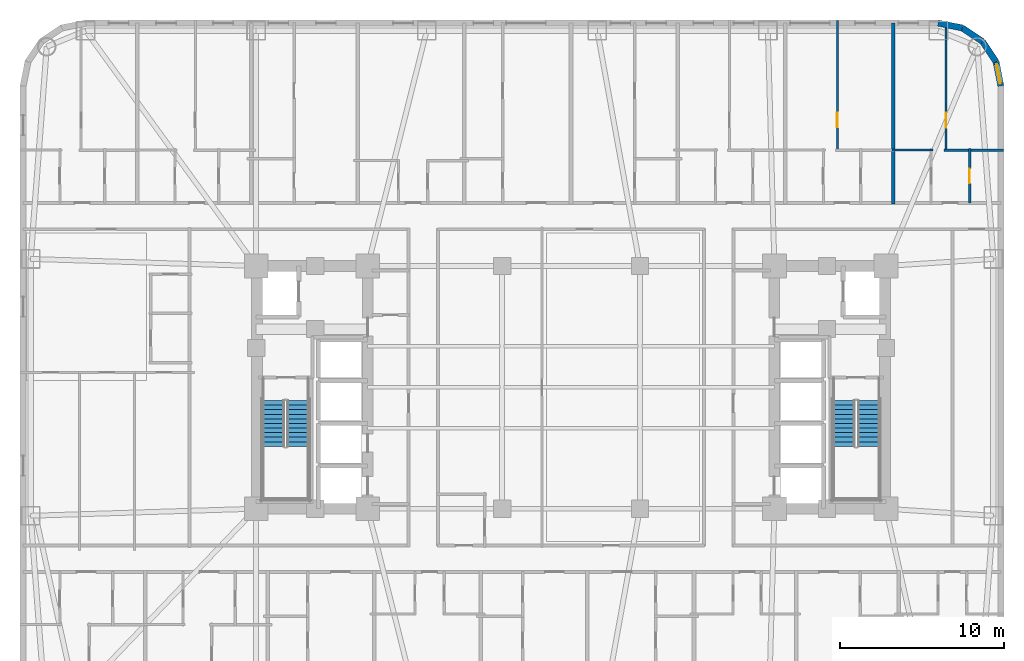
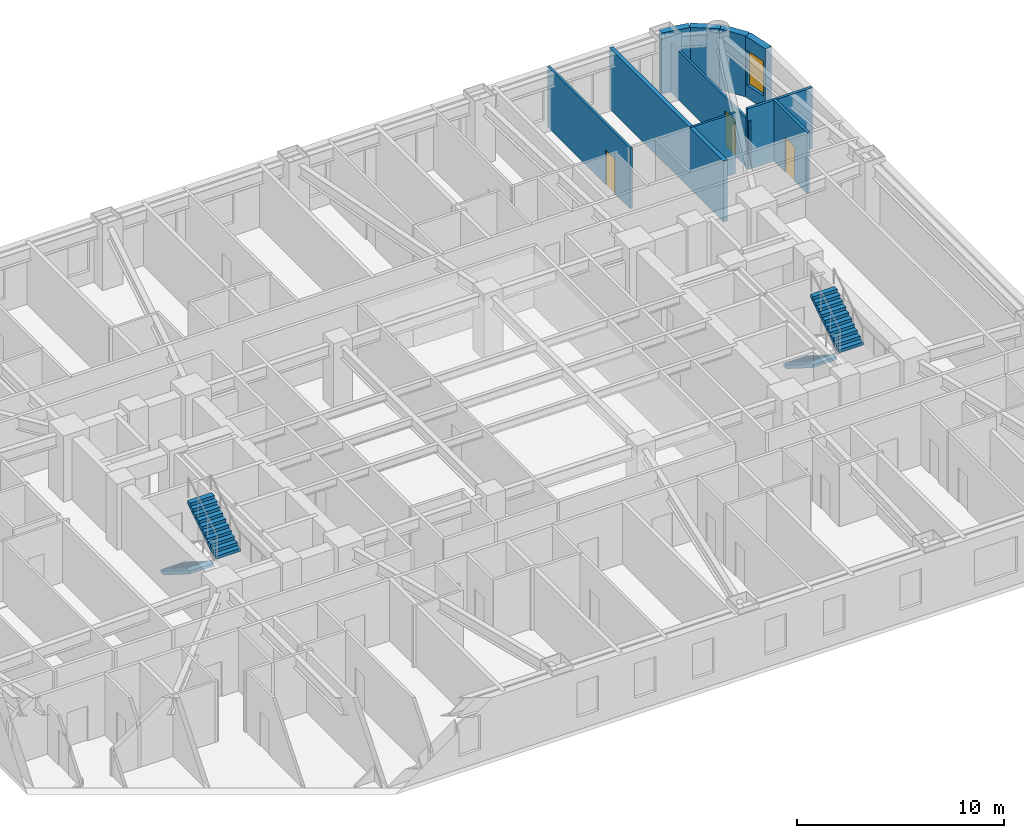
# One storey, part 9 of 11: 10 walls, 4 stair flights, 3 doors, 1 window, 4 openings, 2 elements without a shape of their own.
"""IFC4 building model written with IfcOpenShell, lengths in metres."""

from ifc_helpers import new_model, si_unit, direction, frame, frame_2d, origin, place, context, subcontext, project, spatial, polyline, rectangle, outline, extrude, material, layer, layer_set, type_object, element, fill, aggregate, save


model = new_model("IFC4")

# Units and contexts
model_context = context("Model", 3, precision=1e-05, world=origin(), true_north=direction((0.0, 1.0)))
body_context = subcontext(model_context, "Body", "Model", "MODEL_VIEW")
ifc_project = project(units=[si_unit("LENGTHUNIT", "METRE"), si_unit("AREAUNIT", "SQUARE_METRE"), si_unit("VOLUMEUNIT", "CUBIC_METRE"), si_unit("PLANEANGLEUNIT", "RADIAN"), si_unit("MASSUNIT", "GRAM", prefix="KILO")], contexts=[model_context])

# Site, building, storey
site_placement = place(None, origin())
site = spatial("IfcSite", under=ifc_project, at=site_placement, CompositionType="ELEMENT")
building_placement = place(site_placement, origin())
building = spatial("IfcBuilding", under=site, at=building_placement, Name="Voryun Gate Residences", CompositionType="ELEMENT")
storey_placement = place(building_placement, frame((0.0, 0.0, 76.699951171875)))
storey = spatial("IfcBuildingStorey", under=building, at=storey_placement, Name="L18", CompositionType="ELEMENT", Elevation=76.699951171875)

# Walls
ifc_material_1 = material(Name="Granite masonry", Category="masonry")
ifc_layer_1 = layer(ifc_material_1, 0.3798828125, Name="W_EXT_GRANITE_380")
ifc_layer_set_1 = layer_set([ifc_layer_1], Name="Granite masonry")
wall_type_1 = type_object("IfcWallType", Name="W_EXT_GRANITE_380", PredefinedType="ELEMENTEDWALL", material=ifc_layer_set_1)
wall_1_placement = place(storey_placement, frame((22.38134765625, 22.2099609375, 0.0), z_axis=(0.0, 0.0, 1.0), x_axis=(0.980786132421, -0.195086038585, 0.0)))
element("IfcWall", 1, at=wall_1_placement, inside=storey, type_object=wall_type_1, Name="Exterior wall WEXT-L18-12", PredefinedType="ELEMENTEDWALL", context=body_context, shape_type="SweptSolid", body=[
    extrude(rectangle(XDim=1.504150390625, YDim=0.3798828125, at=frame_2d((0.751953125, 0.0))), origin(), (0.0, 0.0, 1.0), 3.60009765625),
])
for number, where, z_axis, x_axis, name in (
    (2, (23.856689453125, 21.91650390625, 0.0), (0.0, 0.0, 1.0), (0.831392092774, -0.555686231674, 0.0), "Exterior wall WEXT-L18-13"),
    (3, (25.09130859375, 21.09130859375, 0.0), (0.0, 0.0, 1.0), (0.555686231674, -0.831392092774, 0.0), "Exterior wall WEXT-L18-14"),
):
    element("IfcWall", number, at=place(storey_placement, frame(where, z_axis=z_axis, x_axis=x_axis)), inside=storey, type_object=wall_type_1, Name=name, PredefinedType="ELEMENTEDWALL", context=body_context, shape_type="SweptSolid", body=[
        extrude(rectangle(XDim=1.485107421875, YDim=0.3798828125, at=frame_2d((0.74267578125, 0.0))), origin(), (0.0, 0.0, 1.0), 3.60009765625),
    ])

# Wall, opening, window
wall_2_placement = place(storey_placement, frame((25.91650390625, 19.856689453125, 0.0), z_axis=(0.0, 0.0, 1.0), x_axis=(0.195086038585, -0.980786132421, 0.0)))
wall_2 = element("IfcWall", 4, at=wall_2_placement, inside=storey, type_object=wall_type_1, Name="Exterior wall WEXT-L18-15", PredefinedType="ELEMENTEDWALL", context=body_context, shape_type="SweptSolid", body=[
    extrude(rectangle(XDim=1.504150390625, YDim=0.3798828125, at=frame_2d((0.751953125, 0.0))), origin(), (0.0, 0.0, 1.0), 3.60009765625),
])
opening_1_placement = place(wall_2_placement, frame((0.152099609375, 0.0, 0.75)))
opening_1 = element("IfcOpeningElement", 5, at=opening_1_placement, cuts=wall_2, Name="Opening WN6", PredefinedType="OPENING", context=body_context, shape_type="SweptSolid", body=[
    extrude(rectangle(XDim=1.199951171875, YDim=2.050048828125, at=frame_2d((0.60009765625, 1.02490234375))), frame((0.0, 0.199951171875, 0.0), z_axis=(0.0, -1.0, 0.0), x_axis=(1.0, 0.0, 0.0)), (0.0, 0.0, 1.0), 0.39990234375),
])
ifc_material_2 = material(Name="Laminated low-E glass", Category="glass")
window_type = type_object("IfcWindowType", Name="WN_POD_SLOT_1200", PartitioningType="SINGLE_PANEL", PredefinedType="WINDOW", material=ifc_material_2)
window_placement = place(opening_1_placement, origin())
window = element("IfcWindow", 6, at=window_placement, inside=storey, type_object=window_type, Name="Window WN-L18-DWFIX-15", OverallHeight=2.050048828125, OverallWidth=1.199951171875, PartitioningType="SINGLE_PANEL", PredefinedType="WINDOW", context=body_context, shape_type="SweptSolid", body=[
    extrude(rectangle(XDim=1.199951171875, YDim=2.050048828125, at=frame_2d((0.60009765625, 1.02490234375))), frame((0.0, 0.030029296875, 0.0), z_axis=(0.0, -1.0, 0.0), x_axis=(1.0, 0.0, 0.0)), (0.0, 0.0, 1.0), 0.06005859375),
])
fill(opening_1, window)

# Wall
ifc_material_3 = material(Name="Concrete C40/50", Category="concrete")
ifc_layer_2 = layer(ifc_material_3, 0.219970703125, Name="W_PARTY_ACOUSTIC_220")
ifc_layer_set_2 = layer_set([ifc_layer_2], Name="Concrete C40/50")
wall_type_2 = type_object("IfcWallType", Name="W_PARTY_ACOUSTIC_220", PredefinedType="PARTITIONING", material=ifc_layer_set_2)
wall_3_placement = place(storey_placement, frame((19.64501953125, 11.169921875, 0.0), z_axis=(0.0, 0.0, 1.0), x_axis=(0.0, 1.0, 0.0)))
element("IfcWall", 7, at=wall_3_placement, inside=storey, type_object=wall_type_2, Name="Partition wall WP-L18-NPTY-8", PredefinedType="PARTITIONING", context=body_context, shape_type="SweptSolid", body=[
    extrude(rectangle(XDim=11.0400390625, YDim=0.219970703125, at=frame_2d((5.52001953125, 0.0))), origin(), (0.0, 0.0, 1.0), 3.60009765625),
])

# Wall, opening, door
ifc_material_4 = material(Name="Gypsum acoustic partition")
ifc_layer_3 = layer(ifc_material_4, 0.125, Name="W_UNIT_PART_125")
ifc_layer_set_3 = layer_set([ifc_layer_3], Name="Gypsum acoustic partition")
wall_type_3 = type_object("IfcWallType", Name="W_UNIT_PART_125", PredefinedType="PARTITIONING", material=ifc_layer_set_3)
wall_4_placement = place(storey_placement, frame((16.235107421875, 14.389892578125, 0.0), z_axis=(0.0, 0.0, 1.0), x_axis=(0.0, 1.0, 0.0)))
wall_4 = element("IfcWall", 8, at=wall_4_placement, inside=storey, type_object=wall_type_3, Name="Partition wall WP-L18-N8-OVR", PredefinedType="PARTITIONING", context=body_context, shape_type="SweptSolid", body=[
    extrude(rectangle(XDim=7.97021484375, YDim=0.125, at=frame_2d((3.985107421875, 0.0))), origin(), (0.0, 0.0, 1.0), 3.60009765625),
])
opening_2_placement = place(wall_4_placement, frame((1.462890625, 0.0, 0.0)))
opening_2 = element("IfcOpeningElement", 9, at=opening_2_placement, cuts=wall_4, Name="Opening D-INT-2", PredefinedType="OPENING", context=body_context, shape_type="SweptSolid", body=[
    extrude(rectangle(XDim=0.89990234375, YDim=2.050048828125, at=frame_2d((0.449951171875, 1.02490234375))), frame((0.0, 0.072509765625, 0.0), z_axis=(0.0, -1.0, 0.0), x_axis=(1.0, 0.0, 0.0)), (0.0, 0.0, 1.0), 0.14501953125),
])
ifc_material_5 = material(Name="Architectural oak veneer")
door_type = type_object("IfcDoorType", Name="DR_INT_BATH_900", OperationType="NOTDEFINED", PredefinedType="DOOR", material=ifc_material_5)
door_1_placement = place(opening_2_placement, origin())
door_1 = element("IfcDoor", 10, at=door_1_placement, inside=storey, type_object=door_type, Name="Door DR-L18-N8-DMB", OperationType="SINGLE_SWING_RIGHT", OverallHeight=2.050048828125, OverallWidth=0.89990234375, PredefinedType="DOOR", context=body_context, shape_type="SweptSolid", body=[
    extrude(rectangle(XDim=0.89990234375, YDim=2.050048828125, at=frame_2d((0.449951171875, 1.02490234375))), frame((0.0, 0.02490234375, 0.0), z_axis=(0.0, -1.0, 0.0), x_axis=(1.0, 0.0, 0.0)), (0.0, 0.0, 1.0), 0.050048828125),
])
fill(opening_2, door_1)

wall_5_placement = place(storey_placement, frame((22.867919921875, 14.389892578125, 0.0), z_axis=(0.0, 0.0, 1.0), x_axis=(0.0, 1.0, 0.0)))
wall_5 = element("IfcWall", 11, at=wall_5_placement, inside=storey, type_object=wall_type_3, Name="Partition wall WP-L18-N9-OVR", PredefinedType="PARTITIONING", context=body_context, shape_type="SweptSolid", body=[
    extrude(rectangle(XDim=7.876220703125, YDim=0.125, at=frame_2d((3.93798828125, 0.0))), origin(), (0.0, 0.0, 1.0), 2.89013671875),
])
opening_3_placement = place(wall_5_placement, frame((1.440185546875, 0.0, 0.0)))
opening_3 = element("IfcOpeningElement", 12, at=opening_3_placement, cuts=wall_5, Name="Opening D-INT-2", PredefinedType="OPENING", context=body_context, shape_type="SweptSolid", body=[
    extrude(rectangle(XDim=0.89990234375, YDim=2.050048828125, at=frame_2d((0.449951171875, 1.02490234375))), frame((0.0, 0.072509765625, 0.0), z_axis=(0.0, -1.0, 0.0), x_axis=(1.0, 0.0, 0.0)), (0.0, 0.0, 1.0), 0.14501953125),
])
door_2_placement = place(opening_3_placement, origin())
door_2 = element("IfcDoor", 13, at=door_2_placement, inside=storey, type_object=door_type, Name="Door DR-L18-N9-DMB", OperationType="SINGLE_SWING_RIGHT", OverallHeight=2.050048828125, OverallWidth=0.89990234375, PredefinedType="DOOR", context=body_context, shape_type="SweptSolid", body=[
    extrude(rectangle(XDim=0.89990234375, YDim=2.050048828125, at=frame_2d((0.449951171875, 1.02490234375))), frame((0.0, 0.02490234375, 0.0), z_axis=(0.0, -1.0, 0.0), x_axis=(1.0, 0.0, 0.0)), (0.0, 0.0, 1.0), 0.050048828125),
])
fill(opening_3, door_2)

# Walls
wall_6_placement = place(storey_placement, frame((19.570068359375, 14.469970703125, 0.0), z_axis=(0.0, 0.0, 1.0), x_axis=(1.0, 0.0, 0.0)))
element("IfcWall", 14, at=wall_6_placement, inside=storey, type_object=wall_type_3, Name="Partition wall WP-L18-N9-HZK", PredefinedType="PARTITIONING", context=body_context, shape_type="SweptSolid", body=[
    extrude(rectangle(XDim=2.5048828125, YDim=0.125, at=frame_2d((1.25244140625, 0.0))), origin(), (0.0, 0.0, 1.0), 3.60009765625),
])
ifc_material_6 = material(Name="Gypsum moisture-resistant partition")
ifc_layer_4 = layer(ifc_material_6, 0.14990234375, Name="W_WET_PLUMB_150")
ifc_layer_set_4 = layer_set([ifc_layer_4], Name="Gypsum moisture-resistant partition")
wall_type_4 = type_object("IfcWallType", Name="W_WET_PLUMB_150", PredefinedType="PLUMBINGWALL", material=ifc_layer_set_4)
wall_7_placement = place(storey_placement, frame((22.748046875, 14.469970703125, 0.0), z_axis=(0.0, 0.0, 1.0), x_axis=(1.0, 0.0, 0.0)))
element("IfcWall", 15, at=wall_7_placement, inside=storey, type_object=wall_type_4, Name="Partition wall WP-L18-N9-HZB", PredefinedType="PLUMBINGWALL", context=body_context, shape_type="SweptSolid", body=[
    extrude(rectangle(XDim=3.612060546875, YDim=0.14990234375, at=frame_2d((1.80615234375, 0.0))), origin(), (0.0, 0.0, 1.0), 3.60009765625),
])

# Wall, opening, door
wall_8_placement = place(storey_placement, frame((24.298095703125, 11.22998046875, 0.0), z_axis=(0.0, 0.0, 1.0), x_axis=(0.0, 1.0, 0.0)))
wall_8 = element("IfcWall", 16, at=wall_8_placement, inside=storey, type_object=wall_type_4, Name="Partition wall WP-L18-N9-IVB", PredefinedType="PLUMBINGWALL", context=body_context, shape_type="SweptSolid", body=[
    extrude(rectangle(XDim=3.320068359375, YDim=0.14990234375, at=frame_2d((1.66015625, 0.0))), origin(), (0.0, 0.0, 1.0), 3.60009765625),
])
opening_4_placement = place(wall_8_placement, frame((1.2099609375, 0.0, 0.0)))
opening_4 = element("IfcOpeningElement", 17, at=opening_4_placement, cuts=wall_8, Name="Opening D-INT-2", PredefinedType="OPENING", context=body_context, shape_type="SweptSolid", body=[
    extrude(rectangle(XDim=0.89990234375, YDim=2.050048828125, at=frame_2d((0.449951171875, 1.02490234375))), frame((0.0, 0.0849609375, 0.0), z_axis=(0.0, -1.0, 0.0), x_axis=(1.0, 0.0, 0.0)), (0.0, 0.0, 1.0), 0.169921875),
])
door_3_placement = place(opening_4_placement, origin())
door_3 = element("IfcDoor", 18, at=door_3_placement, inside=storey, type_object=door_type, Name="Door DR-L18-N9-DB", OperationType="SINGLE_SWING_RIGHT", OverallHeight=2.050048828125, OverallWidth=0.89990234375, PredefinedType="DOOR", context=body_context, shape_type="SweptSolid", body=[
    extrude(rectangle(XDim=0.89990234375, YDim=2.050048828125, at=frame_2d((0.449951171875, 1.02490234375))), frame((0.0, 0.02490234375, 0.0), z_axis=(0.0, -1.0, 0.0), x_axis=(1.0, 0.0, 0.0)), (0.0, 0.0, 1.0), 0.050048828125),
])
fill(opening_4, door_3)

# Stair, stair flights
ifc_material_7 = material(Name="Concrete C40/50", Category="concrete")
stair_type = type_object("IfcStairType", Name="STR_CORE_DOGLEG_1350", PredefinedType="HALF_TURN_STAIR", material=ifc_material_7)
stair_1_placement = place(storey_placement, origin())
stair_1 = element("IfcStair", 19, at=stair_1_placement, inside=storey, type_object=stair_type, Name="L18 Special Escape Stair ST-W1", PredefinedType="HALF_TURN_STAIR")
ifc_material_8 = material(Name="Concrete C40/50", Category="concrete")
stair_flight_type = type_object("IfcStairFlightType", Name="FLT_CORE_1350", PredefinedType="STRAIGHT", material=ifc_material_8)
stair_flight_1_placement = place(storey_placement, frame((-18.14990234375, -0.800048828125, 0.0), z_axis=(0.0, 0.0, 1.0), x_axis=(0.0, -1.0, 0.0)))
stair_flight_1 = element("IfcStairFlight", 20, at=stair_flight_1_placement, type_object=stair_flight_type, Name="ST-W1 flight 1", NumberOfRisers=11, NumberOfTreads=10, PredefinedType="STRAIGHT", RiserHeight=0.177272727, TreadLength=0.28, context=body_context, shape_type="SweptSolid", body=[
    extrude(outline(polyline([(0.0, 0.0), (0.0, 0.17724609375), (0.280029296875, 0.17724609375), (0.280029296875, 0.3544921875), (0.56005859375, 0.3544921875), (0.56005859375, 0.53173828125), (0.840087890625, 0.53173828125), (0.840087890625, 0.708984375), (1.1201171875, 0.708984375), (1.1201171875, 0.886474609375), (1.39990234375, 0.886474609375), (1.39990234375, 1.063720703125), (1.679931640625, 1.063720703125), (1.679931640625, 1.240966796875), (1.9599609375, 1.240966796875), (1.9599609375, 1.418212890625), (2.239990234375, 1.418212890625), (2.239990234375, 1.595458984375), (2.52001953125, 1.595458984375), (2.52001953125, 1.772705078125), (2.800048828125, 1.772705078125), (2.800048828125, 1.949951171875), (2.800048828125, 1.59521484375), (0.2802734375, 0.0), (0.0, 0.0)])), frame((0.0, 0.675048828125, 0.0), z_axis=(0.0, -1.0, 0.0), x_axis=(1.0, 0.0, 0.0)), (0.0, 0.0, 1.0), 1.35009765625),
])
stair_flight_2_placement = place(storey_placement, frame((-16.64990234375, -3.60009765625, 1.949951171875), z_axis=(0.0, 0.0, 1.0), x_axis=(0.0, 1.0, 0.0)))
stair_flight_2 = element("IfcStairFlight", 21, at=stair_flight_2_placement, type_object=stair_flight_type, Name="ST-W1 flight 2", NumberOfRisers=11, NumberOfTreads=10, PredefinedType="STRAIGHT", RiserHeight=0.177272727, TreadLength=0.28, context=body_context, shape_type="SweptSolid", body=[
    extrude(outline(polyline([(0.0, 0.0), (0.0, 0.17724609375), (0.280029296875, 0.17724609375), (0.280029296875, 0.3544921875), (0.56005859375, 0.3544921875), (0.56005859375, 0.53173828125), (0.840087890625, 0.53173828125), (0.840087890625, 0.708984375), (1.1201171875, 0.708984375), (1.1201171875, 0.886474609375), (1.39990234375, 0.886474609375), (1.39990234375, 1.063720703125), (1.679931640625, 1.063720703125), (1.679931640625, 1.240966796875), (1.9599609375, 1.240966796875), (1.9599609375, 1.418212890625), (2.239990234375, 1.418212890625), (2.239990234375, 1.595458984375), (2.52001953125, 1.595458984375), (2.52001953125, 1.772705078125), (2.800048828125, 1.772705078125), (2.800048828125, 1.949951171875), (2.800048828125, 1.59521484375), (0.2802734375, 0.0), (0.0, 0.0)])), frame((0.0, 0.675048828125, 0.0), z_axis=(0.0, -1.0, 0.0), x_axis=(1.0, 0.0, 0.0)), (0.0, 0.0, 1.0), 1.35009765625),
])
aggregate(stair_1, [stair_flight_1, stair_flight_2])

stair_2_placement = place(storey_placement, origin())
stair_2 = element("IfcStair", 22, at=stair_2_placement, inside=storey, type_object=stair_type, Name="L18 Special Escape Stair ST-E1", PredefinedType="HALF_TURN_STAIR")
stair_flight_3_placement = place(storey_placement, frame((16.64990234375, -0.800048828125, 0.0), z_axis=(0.0, 0.0, 1.0), x_axis=(0.0, -1.0, 0.0)))
stair_flight_3 = element("IfcStairFlight", 23, at=stair_flight_3_placement, type_object=stair_flight_type, Name="ST-E1 flight 1", NumberOfRisers=11, NumberOfTreads=10, PredefinedType="STRAIGHT", RiserHeight=0.177272727, TreadLength=0.28, context=body_context, shape_type="SweptSolid", body=[
    extrude(outline(polyline([(0.0, 0.0), (0.0, 0.17724609375), (0.280029296875, 0.17724609375), (0.280029296875, 0.3544921875), (0.56005859375, 0.3544921875), (0.56005859375, 0.53173828125), (0.840087890625, 0.53173828125), (0.840087890625, 0.708984375), (1.1201171875, 0.708984375), (1.1201171875, 0.886474609375), (1.39990234375, 0.886474609375), (1.39990234375, 1.063720703125), (1.679931640625, 1.063720703125), (1.679931640625, 1.240966796875), (1.9599609375, 1.240966796875), (1.9599609375, 1.418212890625), (2.239990234375, 1.418212890625), (2.239990234375, 1.595458984375), (2.52001953125, 1.595458984375), (2.52001953125, 1.772705078125), (2.800048828125, 1.772705078125), (2.800048828125, 1.949951171875), (2.800048828125, 1.59521484375), (0.2802734375, 0.0), (0.0, 0.0)])), frame((0.0, 0.675048828125, 0.0), z_axis=(0.0, -1.0, 0.0), x_axis=(1.0, 0.0, 0.0)), (0.0, 0.0, 1.0), 1.35009765625),
])
stair_flight_4_placement = place(storey_placement, frame((18.14990234375, -3.60009765625, 1.949951171875), z_axis=(0.0, 0.0, 1.0), x_axis=(0.0, 1.0, 0.0)))
stair_flight_4 = element("IfcStairFlight", 24, at=stair_flight_4_placement, type_object=stair_flight_type, Name="ST-E1 flight 2", NumberOfRisers=11, NumberOfTreads=10, PredefinedType="STRAIGHT", RiserHeight=0.177272727, TreadLength=0.28, context=body_context, shape_type="SweptSolid", body=[
    extrude(outline(polyline([(0.0, 0.0), (0.0, 0.17724609375), (0.280029296875, 0.17724609375), (0.280029296875, 0.3544921875), (0.56005859375, 0.3544921875), (0.56005859375, 0.53173828125), (0.840087890625, 0.53173828125), (0.840087890625, 0.708984375), (1.1201171875, 0.708984375), (1.1201171875, 0.886474609375), (1.39990234375, 0.886474609375), (1.39990234375, 1.063720703125), (1.679931640625, 1.063720703125), (1.679931640625, 1.240966796875), (1.9599609375, 1.240966796875), (1.9599609375, 1.418212890625), (2.239990234375, 1.418212890625), (2.239990234375, 1.595458984375), (2.52001953125, 1.595458984375), (2.52001953125, 1.772705078125), (2.800048828125, 1.772705078125), (2.800048828125, 1.949951171875), (2.800048828125, 1.59521484375), (0.2802734375, 0.0), (0.0, 0.0)])), frame((0.0, 0.675048828125, 0.0), z_axis=(0.0, -1.0, 0.0), x_axis=(1.0, 0.0, 0.0)), (0.0, 0.0, 1.0), 1.35009765625),
])
aggregate(stair_2, [stair_flight_3, stair_flight_4])

save(model, "model.ifc")
